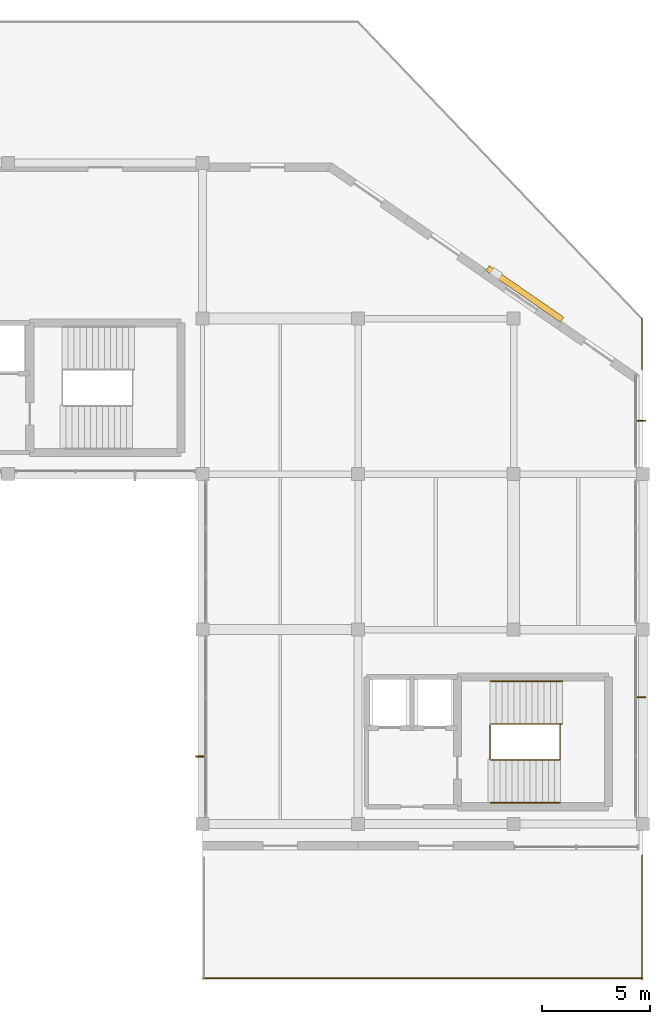
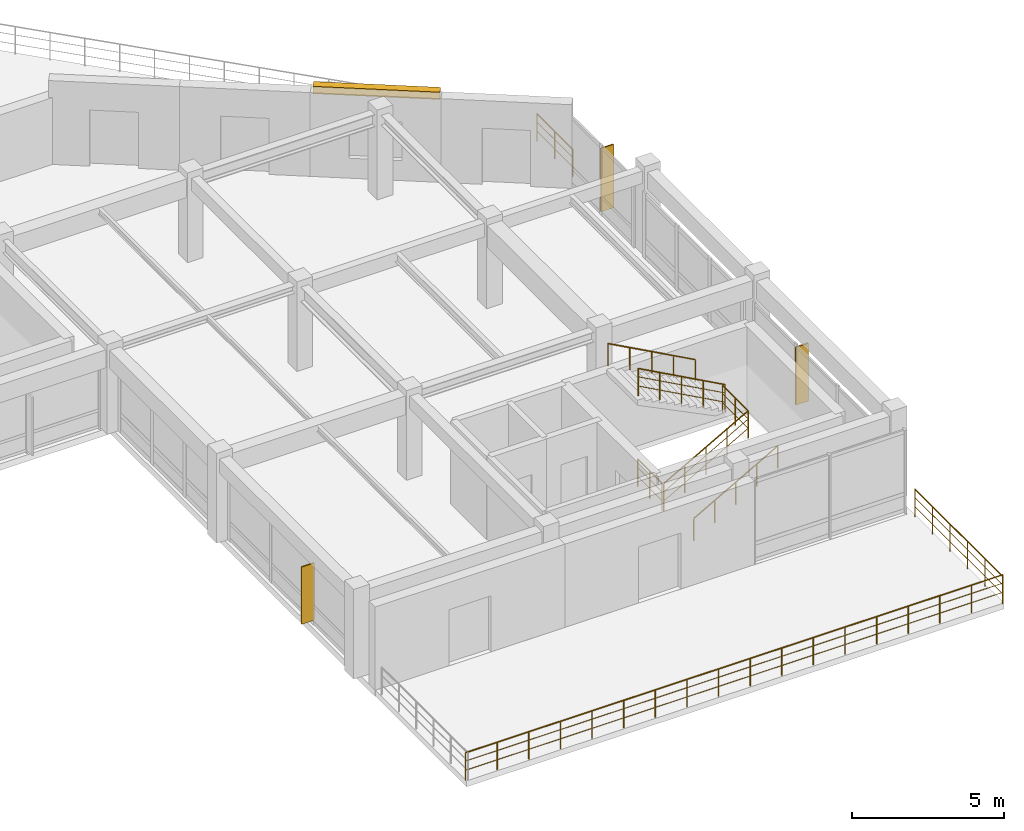
# One storey, part 11 of 12: 9 railings, 3 shading devices, 1 covering.
"""IFC4 building model written with IfcOpenShell, lengths in metres."""

from ifc_helpers import new_model, si_unit, direction, frame, frame_2d, origin, origin_2d, place, context, subcontext, project, spatial, rectangle, circle, extrude, material, layer, layer_set, type_object, element, save


model = new_model("IFC4")

# Units and contexts
model_context = context("Model", 3, precision=1e-05, world=origin(), true_north=direction((0.0, 1.0)))
body_context = subcontext(model_context, "Body", "Model", "MODEL_VIEW")
ifc_project = project(units=[si_unit("LENGTHUNIT", "METRE"), si_unit("AREAUNIT", "SQUARE_METRE"), si_unit("VOLUMEUNIT", "CUBIC_METRE"), si_unit("PLANEANGLEUNIT", "RADIAN"), si_unit("MASSUNIT", "GRAM", prefix="KILO")], contexts=[model_context])

# Site, building, storey
site_placement = place(None, origin())
site = spatial("IfcSite", under=ifc_project, at=site_placement, CompositionType="ELEMENT")
building_placement = place(site_placement, origin())
building = spatial("IfcBuilding", under=site, at=building_placement, Name="Clarverna Civic Hall", CompositionType="ELEMENT")
storey_placement = place(building_placement, frame((0.0, 0.0, 24.0)))
storey = spatial("IfcBuildingStorey", under=building, at=storey_placement, Name="L06", CompositionType="ELEMENT", Elevation=24.0)

# Covering
ifc_material_1 = material(Name="Montjuic Buff Limestone Ashlar Cladding", Category="masonry")
ifc_layer_1 = layer(ifc_material_1, 0.070068359375)
ifc_layer_set_1 = layer_set([ifc_layer_1], Name="Montjuic Buff Limestone Ashlar Cladding")
covering_type = type_object("IfcCoveringType", Name="CV-CL2", PredefinedType="CLADDING", material=ifc_layer_set_1)
covering_placement = place(storey_placement, frame((160.794921875, 104.53173828125, 3.080078125), z_axis=(0.0, 0.0, 1.0), x_axis=(0.823021325464, -0.568010473347, 0.0)))
element("IfcCovering", 1, at=covering_placement, inside=storey, type_object=covering_type, Name="CV-CL2-899", PredefinedType="CLADDING", context=body_context, shape_type="SweptSolid", body=[
    extrude(rectangle(XDim=4.193359375, YDim=0.280029296875, at=frame_2d((2.0966796875, 0.0))), origin(), (0.0, 0.0, 1.0), 0.2998046875),
])

# Railings
ifc_material_2 = material(Name="Anodised Bronze Architectural Balustrade")
railing_type_1 = type_object("IfcRailingType", Name="GR-01", PredefinedType="BALUSTRADE", material=ifc_material_2)
railing_1_placement = place(storey_placement, frame((167.93994140625, 102.199951171875, 0.0)))
element("IfcRailing", 2, at=railing_1_placement, inside=storey, type_object=railing_type_1, Name="GR-01-042", PredefinedType="BALUSTRADE", context=body_context, shape_type="SweptSolid", body=[
    extrude(circle(Radius=0.02392578125, at=origin_2d()), frame((0.0, 0.0, 1.09619140625), z_axis=(0.0, -1.0, 0.0), x_axis=(1.0, 0.0, 0.0)), (0.0, 0.0, 1.0), 2.3505859375),
    extrude(circle(Radius=0.011962890625, at=origin_2d()), frame((0.0, 0.0, 0.39208984375), z_axis=(0.0, -1.0, 0.0), x_axis=(1.0, 0.0, 0.0)), (0.0, 0.0, 1.0), 2.3505859375),
    extrude(circle(Radius=0.011962890625, at=origin_2d()), frame((0.0, 0.0, 0.76171875), z_axis=(0.0, -1.0, 0.0), x_axis=(1.0, 0.0, 0.0)), (0.0, 0.0, 1.0), 2.3505859375),
    extrude(circle(Radius=0.02099609375, at=origin_2d()), origin(), (0.0, 0.0, 1.0), 1.072021484375),
    extrude(circle(Radius=0.02099609375, at=origin_2d()), frame((0.0, -1.17529296875, 0.0)), (0.0, 0.0, 1.0), 1.072021484375),
    extrude(circle(Radius=0.02099609375, at=origin_2d()), frame((0.0, -2.3505859375, 0.0)), (0.0, 0.0, 1.0), 1.072021484375),
])
railing_2_placement = place(storey_placement, frame((167.93994140625, 77.350341796875, 0.0)))
element("IfcRailing", 3, at=railing_2_placement, inside=storey, type_object=railing_type_1, Name="GR-01-043", PredefinedType="BALUSTRADE", context=body_context, shape_type="SweptSolid", body=[
    extrude(circle(Radius=0.02392578125, at=origin_2d()), frame((0.0, 0.0, 1.09619140625), z_axis=(0.0, -1.0, 0.0), x_axis=(1.0, 0.0, 0.0)), (0.0, 0.0, 1.0), 5.750244140625),
    extrude(circle(Radius=0.011962890625, at=origin_2d()), frame((0.0, 0.0, 0.39208984375), z_axis=(0.0, -1.0, 0.0), x_axis=(1.0, 0.0, 0.0)), (0.0, 0.0, 1.0), 5.750244140625),
    extrude(circle(Radius=0.011962890625, at=origin_2d()), frame((0.0, 0.0, 0.76171875), z_axis=(0.0, -1.0, 0.0), x_axis=(1.0, 0.0, 0.0)), (0.0, 0.0, 1.0), 5.750244140625),
    extrude(circle(Radius=0.02099609375, at=origin_2d()), origin(), (0.0, 0.0, 1.0), 1.072021484375),
    extrude(circle(Radius=0.02099609375, at=origin_2d()), frame((0.0, -1.150146484375, 0.0)), (0.0, 0.0, 1.0), 1.072021484375),
    extrude(circle(Radius=0.02099609375, at=origin_2d()), frame((0.0, -2.300048828125, 0.0)), (0.0, 0.0, 1.0), 1.072021484375),
    extrude(circle(Radius=0.02099609375, at=origin_2d()), frame((0.0, -3.4501953125, 0.0)), (0.0, 0.0, 1.0), 1.072021484375),
    extrude(circle(Radius=0.02099609375, at=origin_2d()), frame((0.0, -4.60009765625, 0.0)), (0.0, 0.0, 1.0), 1.072021484375),
    extrude(circle(Radius=0.02099609375, at=origin_2d()), frame((0.0, -5.750244140625, 0.0)), (0.0, 0.0, 1.0), 1.072021484375),
])
railing_3_placement = place(storey_placement, frame((168.0, 71.659912109375, 0.0)))
element("IfcRailing", 4, at=railing_3_placement, inside=storey, type_object=railing_type_1, Name="GR-01-044", PredefinedType="BALUSTRADE", context=body_context, shape_type="SweptSolid", body=[
    extrude(circle(Radius=0.02392578125, at=origin_2d()), frame((0.0, 0.0, 1.09619140625), z_axis=(-1.0, 0.0, 0.0), x_axis=(0.0, -1.0, 0.0)), (0.0, 0.0, 1.0), 20.39990234375),
    extrude(circle(Radius=0.011962890625, at=origin_2d()), frame((0.0, 0.0, 0.39208984375), z_axis=(-1.0, 0.0, 0.0), x_axis=(0.0, -1.0, 0.0)), (0.0, 0.0, 1.0), 20.39990234375),
    extrude(circle(Radius=0.011962890625, at=origin_2d()), frame((0.0, 0.0, 0.76171875), z_axis=(-1.0, 0.0, 0.0), x_axis=(0.0, -1.0, 0.0)), (0.0, 0.0, 1.0), 20.39990234375),
    extrude(circle(Radius=0.02099609375, at=origin_2d()), origin(), (0.0, 0.0, 1.0), 1.072021484375),
    extrude(circle(Radius=0.02099609375, at=origin_2d()), frame((-1.199951171875, 0.0, 0.0)), (0.0, 0.0, 1.0), 1.072021484375),
    extrude(circle(Radius=0.02099609375, at=origin_2d()), frame((-2.39990234375, 0.0, 0.0)), (0.0, 0.0, 1.0), 1.072021484375),
    extrude(circle(Radius=0.02099609375, at=origin_2d()), frame((-3.60009765625, 0.0, 0.0)), (0.0, 0.0, 1.0), 1.072021484375),
    extrude(circle(Radius=0.02099609375, at=origin_2d()), frame((-4.800048828125, 0.0, 0.0)), (0.0, 0.0, 1.0), 1.072021484375),
    extrude(circle(Radius=0.02099609375, at=origin_2d()), frame((-6.0, 0.0, 0.0)), (0.0, 0.0, 1.0), 1.072021484375),
    extrude(circle(Radius=0.02099609375, at=origin_2d()), frame((-7.199951171875, 0.0, 0.0)), (0.0, 0.0, 1.0), 1.072021484375),
    extrude(circle(Radius=0.02099609375, at=origin_2d()), frame((-8.39990234375, 0.0, 0.0)), (0.0, 0.0, 1.0), 1.072021484375),
    extrude(circle(Radius=0.02099609375, at=origin_2d()), frame((-9.599853515625, 0.0, 0.0)), (0.0, 0.0, 1.0), 1.072021484375),
    extrude(circle(Radius=0.02099609375, at=origin_2d()), frame((-10.800048828125, 0.0, 0.0)), (0.0, 0.0, 1.0), 1.072021484375),
    extrude(circle(Radius=0.02099609375, at=origin_2d()), frame((-12.0, 0.0, 0.0)), (0.0, 0.0, 1.0), 1.072021484375),
    extrude(circle(Radius=0.02099609375, at=origin_2d()), frame((-13.199951171875, 0.0, 0.0)), (0.0, 0.0, 1.0), 1.072021484375),
    extrude(circle(Radius=0.02099609375, at=origin_2d()), frame((-14.39990234375, 0.0, 0.0)), (0.0, 0.0, 1.0), 1.072021484375),
    extrude(circle(Radius=0.02099609375, at=origin_2d()), frame((-15.599853515625, 0.0, 0.0)), (0.0, 0.0, 1.0), 1.072021484375),
    extrude(circle(Radius=0.02099609375, at=origin_2d()), frame((-16.7998046875, 0.0, 0.0)), (0.0, 0.0, 1.0), 1.072021484375),
    extrude(circle(Radius=0.02099609375, at=origin_2d()), frame((-18.0, 0.0, 0.0)), (0.0, 0.0, 1.0), 1.072021484375),
    extrude(circle(Radius=0.02099609375, at=origin_2d()), frame((-19.199951171875, 0.0, 0.0)), (0.0, 0.0, 1.0), 1.072021484375),
    extrude(circle(Radius=0.02099609375, at=origin_2d()), frame((-20.39990234375, 0.0, 0.0)), (0.0, 0.0, 1.0), 1.072021484375),
])
railing_type_2 = type_object("IfcRailingType", Name="GR-02", PredefinedType="BALUSTRADE", material=ifc_material_2)
railing_4_placement = place(storey_placement, frame((160.949951171875, 81.760009765625, 0.0)))
element("IfcRailing", 5, at=railing_4_placement, inside=storey, type_object=railing_type_2, Name="GR-02-063", PredefinedType="BALUSTRADE", context=body_context, shape_type="SweptSolid", body=[
    extrude(circle(Radius=0.02392578125, at=origin_2d()), frame((0.0, 0.0, 1.09619140625), z_axis=(0.871901705862, 0.0, 0.489680932154), x_axis=(0.0, 1.0, 0.0)), (0.0, 0.0, 1.0), 3.676025390625),
    extrude(circle(Radius=0.011962890625, at=origin_2d()), frame((0.0, 0.0, 0.39208984375), z_axis=(0.871901705862, 0.0, 0.489680932154), x_axis=(0.0, 1.0, 0.0)), (0.0, 0.0, 1.0), 3.676025390625),
    extrude(circle(Radius=0.011962890625, at=origin_2d()), frame((0.0, 0.0, 0.76171875), z_axis=(0.871901705862, 0.0, 0.489680932154), x_axis=(0.0, 1.0, 0.0)), (0.0, 0.0, 1.0), 3.676025390625),
    extrude(circle(Radius=0.02099609375, at=origin_2d()), origin(), (0.0, 0.0, 1.0), 1.072021484375),
    extrude(circle(Radius=0.02099609375, at=origin_2d()), frame((0.80126953125, 0.0, 0.449951171875)), (0.0, 0.0, 1.0), 1.072021484375),
    extrude(circle(Radius=0.02099609375, at=origin_2d()), frame((1.6025390625, 0.0, 0.89990234375)), (0.0, 0.0, 1.0), 1.072021484375),
    extrude(circle(Radius=0.02099609375, at=origin_2d()), frame((2.40380859375, 0.0, 1.35009765625)), (0.0, 0.0, 1.0), 1.072021484375),
    extrude(circle(Radius=0.02099609375, at=origin_2d()), frame((3.205078125, 0.0, 1.800048828125)), (0.0, 0.0, 1.0), 1.072021484375),
])
railing_5_placement = place(storey_placement, frame((164.155029296875, 81.760009765625, 1.800048828125)))
element("IfcRailing", 6, at=railing_5_placement, inside=storey, type_object=railing_type_2, Name="GR-02-064", PredefinedType="BALUSTRADE", context=body_context, shape_type="SweptSolid", body=[
    extrude(circle(Radius=0.02392578125, at=origin_2d()), frame((0.0, 0.0, 1.09619140625), z_axis=(0.0, 1.0, 0.0), x_axis=(-1.0, 0.0, 0.0)), (0.0, 0.0, 1.0), 1.679931640625),
    extrude(circle(Radius=0.011962890625, at=origin_2d()), frame((0.0, 0.0, 0.39208984375), z_axis=(0.0, 1.0, 0.0), x_axis=(-1.0, 0.0, 0.0)), (0.0, 0.0, 1.0), 1.679931640625),
    extrude(circle(Radius=0.011962890625, at=origin_2d()), frame((0.0, 0.0, 0.76171875), z_axis=(0.0, 1.0, 0.0), x_axis=(-1.0, 0.0, 0.0)), (0.0, 0.0, 1.0), 1.679931640625),
    extrude(circle(Radius=0.02099609375, at=origin_2d()), origin(), (0.0, 0.0, 1.0), 1.072021484375),
    extrude(circle(Radius=0.02099609375, at=origin_2d()), frame((0.0, 0.83984375, 0.0)), (0.0, 0.0, 1.0), 1.072021484375),
    extrude(circle(Radius=0.02099609375, at=origin_2d()), frame((0.0, 1.679931640625, 0.0)), (0.0, 0.0, 1.0), 1.072021484375),
])
railing_6_placement = place(storey_placement, frame((164.2451171875, 83.43994140625, 1.800048828125)))
element("IfcRailing", 7, at=railing_6_placement, inside=storey, type_object=railing_type_2, Name="GR-02-065", PredefinedType="BALUSTRADE", context=body_context, shape_type="SweptSolid", body=[
    extrude(circle(Radius=0.02392578125, at=origin_2d()), frame((0.0, 0.0, 1.09619140625), z_axis=(-0.877594727342, 0.0, 0.479403269222), x_axis=(0.0, -1.0, 0.0)), (0.0, 0.0, 1.0), 3.7548828125),
    extrude(circle(Radius=0.011962890625, at=origin_2d()), frame((0.0, 0.0, 0.39208984375), z_axis=(-0.877594727342, 0.0, 0.479403269222), x_axis=(0.0, -1.0, 0.0)), (0.0, 0.0, 1.0), 3.7548828125),
    extrude(circle(Radius=0.011962890625, at=origin_2d()), frame((0.0, 0.0, 0.76171875), z_axis=(-0.877594727342, 0.0, 0.479403269222), x_axis=(0.0, -1.0, 0.0)), (0.0, 0.0, 1.0), 3.7548828125),
    extrude(circle(Radius=0.02099609375, at=origin_2d()), origin(), (0.0, 0.0, 1.0), 1.072021484375),
    extrude(circle(Radius=0.02099609375, at=origin_2d()), frame((-0.82373046875, 0.0, 0.449951171875)), (0.0, 0.0, 1.0), 1.072021484375),
    extrude(circle(Radius=0.02099609375, at=origin_2d()), frame((-1.6474609375, 0.0, 0.89990234375)), (0.0, 0.0, 1.0), 1.072021484375),
    extrude(circle(Radius=0.02099609375, at=origin_2d()), frame((-2.471435546875, 0.0, 1.35009765625)), (0.0, 0.0, 1.0), 1.072021484375),
    extrude(circle(Radius=0.02099609375, at=origin_2d()), frame((-3.295166015625, 0.0, 1.800048828125)), (0.0, 0.0, 1.0), 1.072021484375),
])
railing_7_placement = place(storey_placement, frame((160.909912109375, 81.800048828125, 0.0)))
element("IfcRailing", 8, at=railing_7_placement, inside=storey, type_object=railing_type_2, Name="GR-02-066", PredefinedType="BALUSTRADE", context=body_context, shape_type="SweptSolid", body=[
    extrude(circle(Radius=0.02392578125, at=origin_2d()), frame((0.0, 0.0, 1.09619140625), z_axis=(0.0, 1.0, 0.0), x_axis=(-1.0, 0.0, 0.0)), (0.0, 0.0, 1.0), 1.599853515625),
    extrude(circle(Radius=0.011962890625, at=origin_2d()), frame((0.0, 0.0, 0.39208984375), z_axis=(0.0, 1.0, 0.0), x_axis=(-1.0, 0.0, 0.0)), (0.0, 0.0, 1.0), 1.599853515625),
    extrude(circle(Radius=0.011962890625, at=origin_2d()), frame((0.0, 0.0, 0.76171875), z_axis=(0.0, 1.0, 0.0), x_axis=(-1.0, 0.0, 0.0)), (0.0, 0.0, 1.0), 1.599853515625),
    extrude(circle(Radius=0.02099609375, at=origin_2d()), origin(), (0.0, 0.0, 1.0), 1.072021484375),
    extrude(circle(Radius=0.02099609375, at=origin_2d()), frame((0.0, 0.7998046875, 0.0)), (0.0, 0.0, 1.0), 1.072021484375),
    extrude(circle(Radius=0.02099609375, at=origin_2d()), frame((0.0, 1.599853515625, 0.0)), (0.0, 0.0, 1.0), 1.072021484375),
])
ifc_material_3 = material(Name="Anodised Bronze Continuous Handrail")
railing_type_3 = type_object("IfcRailingType", Name="HR-01", PredefinedType="HANDRAIL", material=ifc_material_3)
railing_8_placement = place(storey_placement, frame((160.949951171875, 79.780029296875, 0.0)))
element("IfcRailing", 9, at=railing_8_placement, inside=storey, type_object=railing_type_3, Name="HR-01-031", PredefinedType="HANDRAIL", context=body_context, shape_type="SweptSolid", body=[
    extrude(circle(Radius=0.02392578125, at=origin_2d()), frame((0.0, 0.0, 0.89599609375), z_axis=(0.87090897868, 0.0, 0.491444351738), x_axis=(0.0, 1.0, 0.0)), (0.0, 0.0, 1.0), 3.662841796875),
    extrude(circle(Radius=0.02099609375, at=origin_2d()), origin(), (0.0, 0.0, 1.0), 0.871826171875),
    extrude(circle(Radius=0.02099609375, at=origin_2d()), frame((0.79736328125, 0.0, 0.449951171875)), (0.0, 0.0, 1.0), 0.871826171875),
    extrude(circle(Radius=0.02099609375, at=origin_2d()), frame((1.594970703125, 0.0, 0.89990234375)), (0.0, 0.0, 1.0), 0.871826171875),
    extrude(circle(Radius=0.02099609375, at=origin_2d()), frame((2.392578125, 0.0, 1.35009765625)), (0.0, 0.0, 1.0), 0.871826171875),
    extrude(circle(Radius=0.02099609375, at=origin_2d()), frame((3.18994140625, 0.0, 1.800048828125)), (0.0, 0.0, 1.0), 0.871826171875),
])
railing_9_placement = place(storey_placement, frame((164.260009765625, 85.419921875, 1.800048828125)))
element("IfcRailing", 10, at=railing_9_placement, inside=storey, type_object=railing_type_3, Name="HR-01-032", PredefinedType="HANDRAIL", context=body_context, shape_type="SweptSolid", body=[
    extrude(circle(Radius=0.02392578125, at=origin_2d()), frame((0.0, 0.0, 0.89599609375), z_axis=(-0.878501555178, 0.0, 0.477739487116), x_axis=(0.0, -1.0, 0.0)), (0.0, 0.0, 1.0), 3.767822265625),
    extrude(circle(Radius=0.02099609375, at=origin_2d()), origin(), (0.0, 0.0, 1.0), 0.871826171875),
    extrude(circle(Radius=0.02099609375, at=origin_2d()), frame((-0.82763671875, 0.0, 0.449951171875)), (0.0, 0.0, 1.0), 0.871826171875),
    extrude(circle(Radius=0.02099609375, at=origin_2d()), frame((-1.655029296875, 0.0, 0.89990234375)), (0.0, 0.0, 1.0), 0.871826171875),
    extrude(circle(Radius=0.02099609375, at=origin_2d()), frame((-2.482421875, 0.0, 1.35009765625)), (0.0, 0.0, 1.0), 0.871826171875),
    extrude(circle(Radius=0.02099609375, at=origin_2d()), frame((-3.31005859375, 0.0, 1.800048828125)), (0.0, 0.0, 1.0), 0.871826171875),
])

# Shading devices
ifc_material_4 = material(Name="Anodised Bronze Architectural Solar Fin", Category="aluminium")
ifc_layer_2 = layer(ifc_material_4, 0.054931640625)
ifc_layer_set_2 = layer_set([ifc_layer_2], Name="Anodised Bronze Architectural Solar Fin")
shading_device_type = type_object("IfcShadingDeviceType", Name="SD-FN1", PredefinedType="USERDEFINED", material=ifc_layer_set_2)
shading_device_1_placement = place(storey_placement, frame((167.6298828125, 97.469970703125, 0.14990234375), z_axis=(0.0, 0.0, 1.0), x_axis=(1.0, 0.0, 0.0)))
element("IfcShadingDevice", 11, at=shading_device_1_placement, inside=storey, type_object=shading_device_type, Name="SD-FN1-075", ObjectType="FIN", PredefinedType="USERDEFINED", context=body_context, shape_type="SweptSolid", body=[
    extrude(rectangle(XDim=0.480224609375, YDim=0.054931640625, at=frame_2d((0.240234375, 0.0))), origin(), (0.0, 0.0, 1.0), 2.5400390625),
])
shading_device_2_placement = place(storey_placement, frame((167.6298828125, 84.67578125, 0.14990234375), z_axis=(0.0, 0.0, 1.0), x_axis=(1.0, 0.0, 0.0)))
element("IfcShadingDevice", 12, at=shading_device_2_placement, inside=storey, type_object=shading_device_type, Name="SD-FN1-076", ObjectType="FIN", PredefinedType="USERDEFINED", context=body_context, shape_type="SweptSolid", body=[
    extrude(rectangle(XDim=0.480224609375, YDim=0.054931640625, at=frame_2d((0.240234375, 0.0))), origin(), (0.0, 0.0, 1.0), 2.320068359375),
])
shading_device_3_placement = place(storey_placement, frame((147.77001953125, 81.92431640625, 0.14990234375), z_axis=(0.0, 0.0, 1.0), x_axis=(-1.0, 0.0, 0.0)))
element("IfcShadingDevice", 13, at=shading_device_3_placement, inside=storey, type_object=shading_device_type, Name="SD-FN1-077", ObjectType="FIN", PredefinedType="USERDEFINED", context=body_context, shape_type="SweptSolid", body=[
    extrude(rectangle(XDim=0.47998046875, YDim=0.054931640625, at=frame_2d((0.239990234375, 0.0))), origin(), (0.0, 0.0, 1.0), 2.2900390625),
])

save(model, "model.ifc")
